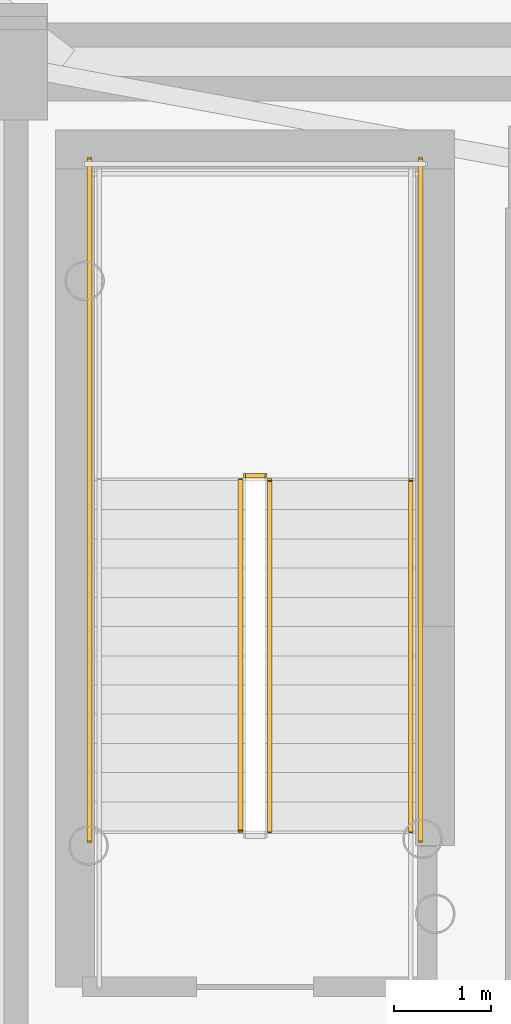
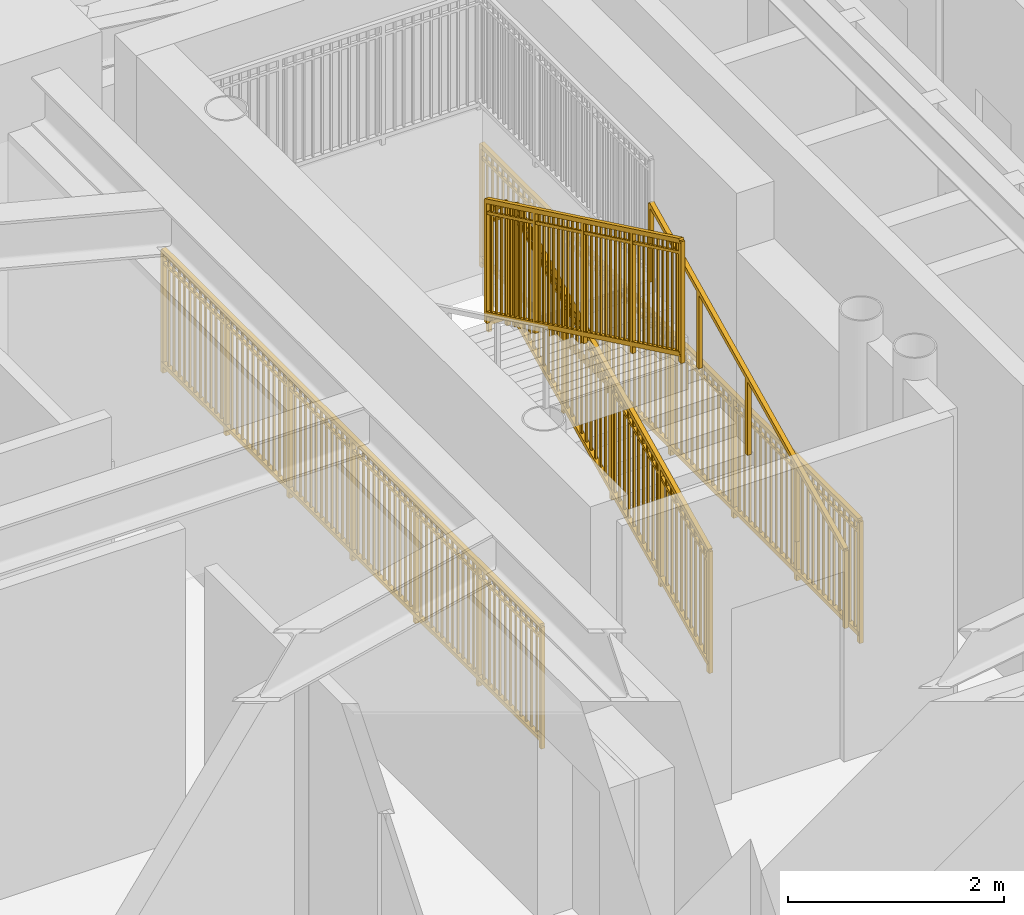
# One storey, part 15 of 19: 6 railings.
"""IFC4 building model written with IfcOpenShell, lengths in metres."""

from ifc_helpers import new_model, si_unit, direction, frame, origin, origin_2d, place, context, subcontext, project, spatial, rectangle, extrude, source, transform, mapped, material, type_object, element, save


model = new_model("IFC4")

# Units and contexts
model_context = context("Model", 3, precision=1e-05, world=origin(), true_north=direction((0.0, 1.0)))
body_context = subcontext(model_context, "Body", "Model", "MODEL_VIEW")
ifc_project = project(units=[si_unit("LENGTHUNIT", "METRE"), si_unit("AREAUNIT", "SQUARE_METRE"), si_unit("VOLUMEUNIT", "CUBIC_METRE"), si_unit("PLANEANGLEUNIT", "RADIAN"), si_unit("MASSUNIT", "GRAM", prefix="KILO")], contexts=[model_context])

# Site, building, storey
site_placement = place(None, origin())
site = spatial("IfcSite", under=ifc_project, at=site_placement, CompositionType="ELEMENT")
building_placement = place(site_placement, origin())
building = spatial("IfcBuilding", under=site, at=building_placement, Name="Linh Dai School and Residence Tower", CompositionType="ELEMENT")
storey_placement = place(building_placement, frame((0.0, 0.0, 193.64990234375)))
storey = spatial("IfcBuildingStorey", under=building, at=storey_placement, Name="L47", CompositionType="ELEMENT", Elevation=193.64990234375)

# Railings
ifc_material_1 = material(Name="Structural Steel S355JR", Category="steel")
railing_type_1 = type_object("IfcRailingType", Name="RL-ST-GUARD-1400", PredefinedType="GUARDRAIL", material=ifc_material_1)
shared_shape_1 = source(origin(), body_context, "Body", "SweptSolid", [
    extrude(rectangle(XDim=0.048095703125, YDim=0.048095703125, at=origin_2d()), frame((0.0, 0.0, 1.3759765625), z_axis=(-1.0, 0.0, 0.0), x_axis=(0.0, -1.0, 0.0)), (0.0, 0.0, 1.0), 0.199951171875),
    extrude(rectangle(XDim=0.048095703125, YDim=0.048095703125, at=origin_2d()), frame((0.0, 0.0, 0.10009765625), z_axis=(-1.0, 0.0, 0.0), x_axis=(0.0, -1.0, 0.0)), (0.0, 0.0, 1.0), 0.199951171875),
    extrude(rectangle(XDim=0.030029296875, YDim=0.030029296875, at=origin_2d()), frame((0.0, 0.0, 1.239990234375), z_axis=(-1.0, 0.0, 0.0), x_axis=(0.0, -1.0, 0.0)), (0.0, 0.0, 1.0), 0.199951171875),
    extrude(rectangle(XDim=0.0419921875, YDim=0.0419921875, at=origin_2d()), origin(), (0.0, 0.0, 1.0), 1.3759765625),
    extrude(rectangle(XDim=0.0419921875, YDim=0.0419921875, at=origin_2d()), frame((-0.199951171875, 0.0, 0.0)), (0.0, 0.0, 1.0), 1.3759765625),
])
railing_1_placement = place(storey_placement, frame((29.429931640625, 29.35009765625, 1.875)))
element("IfcRailing", 1, at=railing_1_placement, inside=storey, type_object=railing_type_1, Name="L47 ST1 stair guard 2", PredefinedType="GUARDRAIL", context=body_context, shape_type="MappedRepresentation", body=[
    mapped(shared_shape_1, transform((0.0, 0.0, 0.0), x_axis=(1.0, 0.0, 0.0), y_axis=(0.0, 1.0, 0.0), z_axis=(0.0, 0.0, 1.0), scale=1.0)),
])
shared_shape_2 = source(origin(), body_context, "Body", "SweptSolid", [
    extrude(rectangle(XDim=0.048095703125, YDim=0.048095703125, at=origin_2d()), frame((0.0, 0.0, 1.3759765625), z_axis=(0.0, 1.0, 0.0), x_axis=(-1.0, 0.0, 0.0)), (0.0, 0.0, 1.0), 7.0),
    extrude(rectangle(XDim=0.048095703125, YDim=0.048095703125, at=origin_2d()), frame((0.0, 0.0, 0.10009765625), z_axis=(0.0, 1.0, 0.0), x_axis=(-1.0, 0.0, 0.0)), (0.0, 0.0, 1.0), 7.0),
    extrude(rectangle(XDim=0.030029296875, YDim=0.030029296875, at=origin_2d()), frame((0.0, 0.0, 1.239990234375), z_axis=(0.0, 1.0, 0.0), x_axis=(-1.0, 0.0, 0.0)), (0.0, 0.0, 1.0), 7.0),
    extrude(rectangle(XDim=0.02001953125, YDim=0.02001953125, at=origin_2d()), frame((0.0, 0.09716796875, 0.10009765625)), (0.0, 0.0, 1.0), 1.251708984375),
    extrude(rectangle(XDim=0.02001953125, YDim=0.02001953125, at=origin_2d()), frame((0.0, 0.1943359375, 0.10009765625)), (0.0, 0.0, 1.0), 1.251708984375),
    extrude(rectangle(XDim=0.02001953125, YDim=0.02001953125, at=origin_2d()), frame((0.0, 0.291748046875, 0.10009765625)), (0.0, 0.0, 1.0), 1.251708984375),
    extrude(rectangle(XDim=0.02001953125, YDim=0.02001953125, at=origin_2d()), frame((0.0, 0.388916015625, 0.10009765625)), (0.0, 0.0, 1.0), 1.251708984375),
    extrude(rectangle(XDim=0.02001953125, YDim=0.02001953125, at=origin_2d()), frame((0.0, 0.486083984375, 0.10009765625)), (0.0, 0.0, 1.0), 1.251708984375),
    extrude(rectangle(XDim=0.02001953125, YDim=0.02001953125, at=origin_2d()), frame((0.0, 0.583251953125, 0.10009765625)), (0.0, 0.0, 1.0), 1.251708984375),
    extrude(rectangle(XDim=0.02001953125, YDim=0.02001953125, at=origin_2d()), frame((0.0, 0.6806640625, 0.10009765625)), (0.0, 0.0, 1.0), 1.251708984375),
    extrude(rectangle(XDim=0.02001953125, YDim=0.02001953125, at=origin_2d()), frame((0.0, 0.77783203125, 0.10009765625)), (0.0, 0.0, 1.0), 1.251708984375),
    extrude(rectangle(XDim=0.02001953125, YDim=0.02001953125, at=origin_2d()), frame((0.0, 0.875, 0.10009765625)), (0.0, 0.0, 1.0), 1.251708984375),
    extrude(rectangle(XDim=0.02001953125, YDim=0.02001953125, at=origin_2d()), frame((0.0, 0.97216796875, 0.10009765625)), (0.0, 0.0, 1.0), 1.251708984375),
    extrude(rectangle(XDim=0.02001953125, YDim=0.02001953125, at=origin_2d()), frame((0.0, 1.0693359375, 0.10009765625)), (0.0, 0.0, 1.0), 1.251708984375),
    extrude(rectangle(XDim=0.02001953125, YDim=0.02001953125, at=origin_2d()), frame((0.0, 1.263916015625, 0.10009765625)), (0.0, 0.0, 1.0), 1.251708984375),
    extrude(rectangle(XDim=0.02001953125, YDim=0.02001953125, at=origin_2d()), frame((0.0, 1.361083984375, 0.10009765625)), (0.0, 0.0, 1.0), 1.251708984375),
    extrude(rectangle(XDim=0.02001953125, YDim=0.02001953125, at=origin_2d()), frame((0.0, 1.458251953125, 0.10009765625)), (0.0, 0.0, 1.0), 1.251708984375),
    extrude(rectangle(XDim=0.02001953125, YDim=0.02001953125, at=origin_2d()), frame((0.0, 1.5556640625, 0.10009765625)), (0.0, 0.0, 1.0), 1.251708984375),
    extrude(rectangle(XDim=0.02001953125, YDim=0.02001953125, at=origin_2d()), frame((0.0, 1.65283203125, 0.10009765625)), (0.0, 0.0, 1.0), 1.251708984375),
    extrude(rectangle(XDim=0.02001953125, YDim=0.02001953125, at=origin_2d()), frame((0.0, 1.75, 0.10009765625)), (0.0, 0.0, 1.0), 1.251708984375),
    extrude(rectangle(XDim=0.02001953125, YDim=0.02001953125, at=origin_2d()), frame((0.0, 1.84716796875, 0.10009765625)), (0.0, 0.0, 1.0), 1.251708984375),
    extrude(rectangle(XDim=0.02001953125, YDim=0.02001953125, at=origin_2d()), frame((0.0, 1.9443359375, 0.10009765625)), (0.0, 0.0, 1.0), 1.251708984375),
    extrude(rectangle(XDim=0.02001953125, YDim=0.02001953125, at=origin_2d()), frame((0.0, 2.041748046875, 0.10009765625)), (0.0, 0.0, 1.0), 1.251708984375),
    extrude(rectangle(XDim=0.02001953125, YDim=0.02001953125, at=origin_2d()), frame((0.0, 2.138916015625, 0.10009765625)), (0.0, 0.0, 1.0), 1.251708984375),
    extrude(rectangle(XDim=0.02001953125, YDim=0.02001953125, at=origin_2d()), frame((0.0, 2.236083984375, 0.10009765625)), (0.0, 0.0, 1.0), 1.251708984375),
    extrude(rectangle(XDim=0.02001953125, YDim=0.02001953125, at=origin_2d()), frame((0.0, 2.4306640625, 0.10009765625)), (0.0, 0.0, 1.0), 1.251708984375),
    extrude(rectangle(XDim=0.02001953125, YDim=0.02001953125, at=origin_2d()), frame((0.0, 2.52783203125, 0.10009765625)), (0.0, 0.0, 1.0), 1.251708984375),
    extrude(rectangle(XDim=0.02001953125, YDim=0.02001953125, at=origin_2d()), frame((0.0, 2.625, 0.10009765625)), (0.0, 0.0, 1.0), 1.251708984375),
    extrude(rectangle(XDim=0.02001953125, YDim=0.02001953125, at=origin_2d()), frame((0.0, 2.72216796875, 0.10009765625)), (0.0, 0.0, 1.0), 1.251708984375),
    extrude(rectangle(XDim=0.02001953125, YDim=0.02001953125, at=origin_2d()), frame((0.0, 2.8193359375, 0.10009765625)), (0.0, 0.0, 1.0), 1.251708984375),
    extrude(rectangle(XDim=0.02001953125, YDim=0.02001953125, at=origin_2d()), frame((0.0, 2.916748046875, 0.10009765625)), (0.0, 0.0, 1.0), 1.251708984375),
    extrude(rectangle(XDim=0.02001953125, YDim=0.02001953125, at=origin_2d()), frame((0.0, 3.013916015625, 0.10009765625)), (0.0, 0.0, 1.0), 1.251708984375),
    extrude(rectangle(XDim=0.02001953125, YDim=0.02001953125, at=origin_2d()), frame((0.0, 3.111083984375, 0.10009765625)), (0.0, 0.0, 1.0), 1.251708984375),
    extrude(rectangle(XDim=0.02001953125, YDim=0.02001953125, at=origin_2d()), frame((0.0, 3.208251953125, 0.10009765625)), (0.0, 0.0, 1.0), 1.251708984375),
    extrude(rectangle(XDim=0.02001953125, YDim=0.02001953125, at=origin_2d()), frame((0.0, 3.3056640625, 0.10009765625)), (0.0, 0.0, 1.0), 1.251708984375),
    extrude(rectangle(XDim=0.02001953125, YDim=0.02001953125, at=origin_2d()), frame((0.0, 3.40283203125, 0.10009765625)), (0.0, 0.0, 1.0), 1.251708984375),
    extrude(rectangle(XDim=0.02001953125, YDim=0.02001953125, at=origin_2d()), frame((0.0, 3.59716796875, 0.10009765625)), (0.0, 0.0, 1.0), 1.251708984375),
    extrude(rectangle(XDim=0.02001953125, YDim=0.02001953125, at=origin_2d()), frame((0.0, 3.6943359375, 0.10009765625)), (0.0, 0.0, 1.0), 1.251708984375),
    extrude(rectangle(XDim=0.02001953125, YDim=0.02001953125, at=origin_2d()), frame((0.0, 3.791748046875, 0.10009765625)), (0.0, 0.0, 1.0), 1.251708984375),
    extrude(rectangle(XDim=0.02001953125, YDim=0.02001953125, at=origin_2d()), frame((0.0, 3.888916015625, 0.10009765625)), (0.0, 0.0, 1.0), 1.251708984375),
    extrude(rectangle(XDim=0.02001953125, YDim=0.02001953125, at=origin_2d()), frame((0.0, 3.986083984375, 0.10009765625)), (0.0, 0.0, 1.0), 1.251708984375),
    extrude(rectangle(XDim=0.02001953125, YDim=0.02001953125, at=origin_2d()), frame((0.0, 4.083251953125, 0.10009765625)), (0.0, 0.0, 1.0), 1.251708984375),
    extrude(rectangle(XDim=0.02001953125, YDim=0.02001953125, at=origin_2d()), frame((0.0, 4.1806640625, 0.10009765625)), (0.0, 0.0, 1.0), 1.251708984375),
    extrude(rectangle(XDim=0.02001953125, YDim=0.02001953125, at=origin_2d()), frame((0.0, 4.27783203125, 0.10009765625)), (0.0, 0.0, 1.0), 1.251708984375),
    extrude(rectangle(XDim=0.02001953125, YDim=0.02001953125, at=origin_2d()), frame((0.0, 4.375, 0.10009765625)), (0.0, 0.0, 1.0), 1.251708984375),
    extrude(rectangle(XDim=0.02001953125, YDim=0.02001953125, at=origin_2d()), frame((0.0, 4.47216796875, 0.10009765625)), (0.0, 0.0, 1.0), 1.251708984375),
    extrude(rectangle(XDim=0.02001953125, YDim=0.02001953125, at=origin_2d()), frame((0.0, 4.5693359375, 0.10009765625)), (0.0, 0.0, 1.0), 1.251708984375),
    extrude(rectangle(XDim=0.02001953125, YDim=0.02001953125, at=origin_2d()), frame((0.0, 4.763916015625, 0.10009765625)), (0.0, 0.0, 1.0), 1.251708984375),
    extrude(rectangle(XDim=0.02001953125, YDim=0.02001953125, at=origin_2d()), frame((0.0, 4.861083984375, 0.10009765625)), (0.0, 0.0, 1.0), 1.251708984375),
    extrude(rectangle(XDim=0.02001953125, YDim=0.02001953125, at=origin_2d()), frame((0.0, 4.958251953125, 0.10009765625)), (0.0, 0.0, 1.0), 1.251708984375),
    extrude(rectangle(XDim=0.02001953125, YDim=0.02001953125, at=origin_2d()), frame((0.0, 5.0556640625, 0.10009765625)), (0.0, 0.0, 1.0), 1.251708984375),
    extrude(rectangle(XDim=0.02001953125, YDim=0.02001953125, at=origin_2d()), frame((0.0, 5.15283203125, 0.10009765625)), (0.0, 0.0, 1.0), 1.251708984375),
    extrude(rectangle(XDim=0.02001953125, YDim=0.02001953125, at=origin_2d()), frame((0.0, 5.25, 0.10009765625)), (0.0, 0.0, 1.0), 1.251708984375),
    extrude(rectangle(XDim=0.02001953125, YDim=0.02001953125, at=origin_2d()), frame((0.0, 5.34716796875, 0.10009765625)), (0.0, 0.0, 1.0), 1.251708984375),
    extrude(rectangle(XDim=0.02001953125, YDim=0.02001953125, at=origin_2d()), frame((0.0, 5.4443359375, 0.10009765625)), (0.0, 0.0, 1.0), 1.251708984375),
    extrude(rectangle(XDim=0.02001953125, YDim=0.02001953125, at=origin_2d()), frame((0.0, 5.541748046875, 0.10009765625)), (0.0, 0.0, 1.0), 1.251708984375),
    extrude(rectangle(XDim=0.02001953125, YDim=0.02001953125, at=origin_2d()), frame((0.0, 5.638916015625, 0.10009765625)), (0.0, 0.0, 1.0), 1.251708984375),
    extrude(rectangle(XDim=0.02001953125, YDim=0.02001953125, at=origin_2d()), frame((0.0, 5.736083984375, 0.10009765625)), (0.0, 0.0, 1.0), 1.251708984375),
    extrude(rectangle(XDim=0.02001953125, YDim=0.02001953125, at=origin_2d()), frame((0.0, 5.9306640625, 0.10009765625)), (0.0, 0.0, 1.0), 1.251708984375),
    extrude(rectangle(XDim=0.02001953125, YDim=0.02001953125, at=origin_2d()), frame((0.0, 6.02783203125, 0.10009765625)), (0.0, 0.0, 1.0), 1.251708984375),
    extrude(rectangle(XDim=0.02001953125, YDim=0.02001953125, at=origin_2d()), frame((0.0, 6.125, 0.10009765625)), (0.0, 0.0, 1.0), 1.251708984375),
    extrude(rectangle(XDim=0.02001953125, YDim=0.02001953125, at=origin_2d()), frame((0.0, 6.22216796875, 0.10009765625)), (0.0, 0.0, 1.0), 1.251708984375),
    extrude(rectangle(XDim=0.02001953125, YDim=0.02001953125, at=origin_2d()), frame((0.0, 6.3193359375, 0.10009765625)), (0.0, 0.0, 1.0), 1.251708984375),
    extrude(rectangle(XDim=0.02001953125, YDim=0.02001953125, at=origin_2d()), frame((0.0, 6.416748046875, 0.10009765625)), (0.0, 0.0, 1.0), 1.251708984375),
    extrude(rectangle(XDim=0.02001953125, YDim=0.02001953125, at=origin_2d()), frame((0.0, 6.513916015625, 0.10009765625)), (0.0, 0.0, 1.0), 1.251708984375),
    extrude(rectangle(XDim=0.02001953125, YDim=0.02001953125, at=origin_2d()), frame((0.0, 6.611083984375, 0.10009765625)), (0.0, 0.0, 1.0), 1.251708984375),
    extrude(rectangle(XDim=0.02001953125, YDim=0.02001953125, at=origin_2d()), frame((0.0, 6.708251953125, 0.10009765625)), (0.0, 0.0, 1.0), 1.251708984375),
    extrude(rectangle(XDim=0.02001953125, YDim=0.02001953125, at=origin_2d()), frame((0.0, 6.8056640625, 0.10009765625)), (0.0, 0.0, 1.0), 1.251708984375),
    extrude(rectangle(XDim=0.02001953125, YDim=0.02001953125, at=origin_2d()), frame((0.0, 6.90283203125, 0.10009765625)), (0.0, 0.0, 1.0), 1.251708984375),
    extrude(rectangle(XDim=0.0419921875, YDim=0.0419921875, at=origin_2d()), origin(), (0.0, 0.0, 1.0), 1.3759765625),
    extrude(rectangle(XDim=0.0419921875, YDim=0.0419921875, at=origin_2d()), frame((0.0, 1.166748046875, 0.0)), (0.0, 0.0, 1.0), 1.3759765625),
    extrude(rectangle(XDim=0.0419921875, YDim=0.0419921875, at=origin_2d()), frame((0.0, 2.333251953125, 0.0)), (0.0, 0.0, 1.0), 1.3759765625),
    extrude(rectangle(XDim=0.0419921875, YDim=0.0419921875, at=origin_2d()), frame((0.0, 3.5, 0.0)), (0.0, 0.0, 1.0), 1.3759765625),
    extrude(rectangle(XDim=0.0419921875, YDim=0.0419921875, at=origin_2d()), frame((0.0, 4.666748046875, 0.0)), (0.0, 0.0, 1.0), 1.3759765625),
    extrude(rectangle(XDim=0.0419921875, YDim=0.0419921875, at=origin_2d()), frame((0.0, 5.833251953125, 0.0)), (0.0, 0.0, 1.0), 1.3759765625),
    extrude(rectangle(XDim=0.0419921875, YDim=0.0419921875, at=origin_2d()), frame((0.0, 7.0, 0.0)), (0.0, 0.0, 1.0), 1.3759765625),
])
for number, where, name in (
    (2, (31.030029296875, 25.60009765625, 0.0), "L47 ST1 stair guard 10"),
    (3, (27.6298828125, 25.60009765625, 0.0), "L47 ST1 stair guard 11"),
):
    element("IfcRailing", number, at=place(storey_placement, frame(where)), inside=storey, type_object=railing_type_1, Name=name, PredefinedType="GUARDRAIL", context=body_context, shape_type="MappedRepresentation", body=[
        mapped(shared_shape_2, transform((0.0, 0.0, 0.0), x_axis=(1.0, 0.0, 0.0), y_axis=(0.0, 1.0, 0.0), z_axis=(0.0, 0.0, 1.0), scale=1.0)),
    ])
shared_shape_3 = source(origin(), body_context, "Body", "SweptSolid", [
    extrude(rectangle(XDim=0.048095703125, YDim=0.048095703125, at=origin_2d()), frame((0.0, 0.0, 1.3759765625), z_axis=(0.0, 0.901262522062, 0.433273431364), x_axis=(-1.0, 0.0, 0.0)), (0.0, 0.0, 1.0), 3.994384765625),
    extrude(rectangle(XDim=0.048095703125, YDim=0.048095703125, at=origin_2d()), frame((0.0, 0.0, 0.10009765625), z_axis=(0.0, 0.901262522062, 0.433273431364), x_axis=(-1.0, 0.0, 0.0)), (0.0, 0.0, 1.0), 3.994384765625),
    extrude(rectangle(XDim=0.030029296875, YDim=0.030029296875, at=origin_2d()), frame((0.0, 0.0, 1.239990234375), z_axis=(0.0, 0.901262522062, 0.433273431364), x_axis=(-1.0, 0.0, 0.0)), (0.0, 0.0, 1.0), 3.994384765625),
    extrude(rectangle(XDim=0.02001953125, YDim=0.02001953125, at=origin_2d()), frame((0.0, 0.087890625, 0.142333984375)), (0.0, 0.0, 1.0), 1.251708984375),
    extrude(rectangle(XDim=0.02001953125, YDim=0.02001953125, at=origin_2d()), frame((0.0, 0.175537109375, 0.1845703125)), (0.0, 0.0, 1.0), 1.251708984375),
    extrude(rectangle(XDim=0.02001953125, YDim=0.02001953125, at=origin_2d()), frame((0.0, 0.263427734375, 0.226806640625)), (0.0, 0.0, 1.0), 1.251708984375),
    extrude(rectangle(XDim=0.02001953125, YDim=0.02001953125, at=origin_2d()), frame((0.0, 0.351318359375, 0.26904296875)), (0.0, 0.0, 1.0), 1.251708984375),
    extrude(rectangle(XDim=0.02001953125, YDim=0.02001953125, at=origin_2d()), frame((0.0, 0.43896484375, 0.311279296875)), (0.0, 0.0, 1.0), 1.251708984375),
    extrude(rectangle(XDim=0.02001953125, YDim=0.02001953125, at=origin_2d()), frame((0.0, 0.52685546875, 0.353271484375)), (0.0, 0.0, 1.0), 1.251708984375),
    extrude(rectangle(XDim=0.02001953125, YDim=0.02001953125, at=origin_2d()), frame((0.0, 0.61474609375, 0.3955078125)), (0.0, 0.0, 1.0), 1.251708984375),
    extrude(rectangle(XDim=0.02001953125, YDim=0.02001953125, at=origin_2d()), frame((0.0, 0.702392578125, 0.437744140625)), (0.0, 0.0, 1.0), 1.251708984375),
    extrude(rectangle(XDim=0.02001953125, YDim=0.02001953125, at=origin_2d()), frame((0.0, 0.790283203125, 0.47998046875)), (0.0, 0.0, 1.0), 1.251708984375),
    extrude(rectangle(XDim=0.02001953125, YDim=0.02001953125, at=origin_2d()), frame((0.0, 0.9658203125, 0.564453125)), (0.0, 0.0, 1.0), 1.251708984375),
    extrude(rectangle(XDim=0.02001953125, YDim=0.02001953125, at=origin_2d()), frame((0.0, 1.0537109375, 0.606689453125)), (0.0, 0.0, 1.0), 1.251708984375),
    extrude(rectangle(XDim=0.02001953125, YDim=0.02001953125, at=origin_2d()), frame((0.0, 1.1416015625, 0.64892578125)), (0.0, 0.0, 1.0), 1.251708984375),
    extrude(rectangle(XDim=0.02001953125, YDim=0.02001953125, at=origin_2d()), frame((0.0, 1.229248046875, 0.691162109375)), (0.0, 0.0, 1.0), 1.251708984375),
    extrude(rectangle(XDim=0.02001953125, YDim=0.02001953125, at=origin_2d()), frame((0.0, 1.317138671875, 0.7333984375)), (0.0, 0.0, 1.0), 1.251708984375),
    extrude(rectangle(XDim=0.02001953125, YDim=0.02001953125, at=origin_2d()), frame((0.0, 1.405029296875, 0.775390625)), (0.0, 0.0, 1.0), 1.251708984375),
    extrude(rectangle(XDim=0.02001953125, YDim=0.02001953125, at=origin_2d()), frame((0.0, 1.49267578125, 0.817626953125)), (0.0, 0.0, 1.0), 1.251708984375),
    extrude(rectangle(XDim=0.02001953125, YDim=0.02001953125, at=origin_2d()), frame((0.0, 1.58056640625, 0.85986328125)), (0.0, 0.0, 1.0), 1.251708984375),
    extrude(rectangle(XDim=0.02001953125, YDim=0.02001953125, at=origin_2d()), frame((0.0, 1.66845703125, 0.902099609375)), (0.0, 0.0, 1.0), 1.251708984375),
    extrude(rectangle(XDim=0.02001953125, YDim=0.02001953125, at=origin_2d()), frame((0.0, 1.756103515625, 0.9443359375)), (0.0, 0.0, 1.0), 1.251708984375),
    extrude(rectangle(XDim=0.02001953125, YDim=0.02001953125, at=origin_2d()), frame((0.0, 1.843994140625, 0.986572265625)), (0.0, 0.0, 1.0), 1.251708984375),
    extrude(rectangle(XDim=0.02001953125, YDim=0.02001953125, at=origin_2d()), frame((0.0, 1.931640625, 1.02880859375)), (0.0, 0.0, 1.0), 1.251708984375),
    extrude(rectangle(XDim=0.02001953125, YDim=0.02001953125, at=origin_2d()), frame((0.0, 2.01953125, 1.071044921875)), (0.0, 0.0, 1.0), 1.251708984375),
    extrude(rectangle(XDim=0.02001953125, YDim=0.02001953125, at=origin_2d()), frame((0.0, 2.107421875, 1.11328125)), (0.0, 0.0, 1.0), 1.251708984375),
    extrude(rectangle(XDim=0.02001953125, YDim=0.02001953125, at=origin_2d()), frame((0.0, 2.195068359375, 1.155517578125)), (0.0, 0.0, 1.0), 1.251708984375),
    extrude(rectangle(XDim=0.02001953125, YDim=0.02001953125, at=origin_2d()), frame((0.0, 2.282958984375, 1.197509765625)), (0.0, 0.0, 1.0), 1.251708984375),
    extrude(rectangle(XDim=0.02001953125, YDim=0.02001953125, at=origin_2d()), frame((0.0, 2.370849609375, 1.23974609375)), (0.0, 0.0, 1.0), 1.251708984375),
    extrude(rectangle(XDim=0.02001953125, YDim=0.02001953125, at=origin_2d()), frame((0.0, 2.45849609375, 1.281982421875)), (0.0, 0.0, 1.0), 1.251708984375),
    extrude(rectangle(XDim=0.02001953125, YDim=0.02001953125, at=origin_2d()), frame((0.0, 2.54638671875, 1.32421875)), (0.0, 0.0, 1.0), 1.251708984375),
    extrude(rectangle(XDim=0.02001953125, YDim=0.02001953125, at=origin_2d()), frame((0.0, 2.63427734375, 1.366455078125)), (0.0, 0.0, 1.0), 1.251708984375),
    extrude(rectangle(XDim=0.02001953125, YDim=0.02001953125, at=origin_2d()), frame((0.0, 2.809814453125, 1.450927734375)), (0.0, 0.0, 1.0), 1.251708984375),
    extrude(rectangle(XDim=0.02001953125, YDim=0.02001953125, at=origin_2d()), frame((0.0, 2.897705078125, 1.4931640625)), (0.0, 0.0, 1.0), 1.251708984375),
    extrude(rectangle(XDim=0.02001953125, YDim=0.02001953125, at=origin_2d()), frame((0.0, 2.9853515625, 1.535400390625)), (0.0, 0.0, 1.0), 1.251708984375),
    extrude(rectangle(XDim=0.02001953125, YDim=0.02001953125, at=origin_2d()), frame((0.0, 3.0732421875, 1.57763671875)), (0.0, 0.0, 1.0), 1.251708984375),
    extrude(rectangle(XDim=0.02001953125, YDim=0.02001953125, at=origin_2d()), frame((0.0, 3.1611328125, 1.61962890625)), (0.0, 0.0, 1.0), 1.251708984375),
    extrude(rectangle(XDim=0.02001953125, YDim=0.02001953125, at=origin_2d()), frame((0.0, 3.248779296875, 1.661865234375)), (0.0, 0.0, 1.0), 1.251708984375),
    extrude(rectangle(XDim=0.02001953125, YDim=0.02001953125, at=origin_2d()), frame((0.0, 3.336669921875, 1.7041015625)), (0.0, 0.0, 1.0), 1.251708984375),
    extrude(rectangle(XDim=0.02001953125, YDim=0.02001953125, at=origin_2d()), frame((0.0, 3.424560546875, 1.746337890625)), (0.0, 0.0, 1.0), 1.251708984375),
    extrude(rectangle(XDim=0.02001953125, YDim=0.02001953125, at=origin_2d()), frame((0.0, 3.51220703125, 1.78857421875)), (0.0, 0.0, 1.0), 1.251708984375),
    extrude(rectangle(XDim=0.0419921875, YDim=0.0419921875, at=origin_2d()), origin(), (0.0, 0.0, 1.0), 1.3759765625),
    extrude(rectangle(XDim=0.0419921875, YDim=0.0419921875, at=origin_2d()), frame((0.0, 0.89990234375, 0.4326171875)), (0.0, 0.0, 1.0), 1.3759765625),
    extrude(rectangle(XDim=0.0419921875, YDim=0.0419921875, at=origin_2d()), frame((0.0, 1.800048828125, 0.865234375)), (0.0, 0.0, 1.0), 1.3759765625),
    extrude(rectangle(XDim=0.0419921875, YDim=0.0419921875, at=origin_2d()), frame((0.0, 2.7001953125, 1.298095703125)), (0.0, 0.0, 1.0), 1.3759765625),
    extrude(rectangle(XDim=0.0419921875, YDim=0.0419921875, at=origin_2d()), frame((0.0, 3.60009765625, 1.730712890625)), (0.0, 0.0, 1.0), 1.3759765625),
])
railing_2_placement = place(storey_placement, frame((29.47998046875, 25.699951171875, 0.144287109375)))
element("IfcRailing", 4, at=railing_2_placement, inside=storey, type_object=railing_type_1, Name="L47 ST1 stair guard 1", PredefinedType="GUARDRAIL", context=body_context, shape_type="MappedRepresentation", body=[
    mapped(shared_shape_3, transform((0.0, 0.0, 0.0), x_axis=(1.0, 0.0, 0.0), y_axis=(0.0, 1.0, 0.0), z_axis=(0.0, 0.0, 1.0), scale=1.0)),
])
shared_shape_4 = source(origin(), body_context, "Body", "SweptSolid", [
    extrude(rectangle(XDim=0.048095703125, YDim=0.048095703125, at=origin_2d()), frame((0.0, 0.0, 1.3759765625), z_axis=(0.0, -0.901262522062, 0.433273431364), x_axis=(1.0, 0.0, 0.0)), (0.0, 0.0, 1.0), 3.994384765625),
    extrude(rectangle(XDim=0.048095703125, YDim=0.048095703125, at=origin_2d()), frame((0.0, 0.0, 0.10009765625), z_axis=(0.0, -0.901262522062, 0.433273431364), x_axis=(1.0, 0.0, 0.0)), (0.0, 0.0, 1.0), 3.994384765625),
    extrude(rectangle(XDim=0.030029296875, YDim=0.030029296875, at=origin_2d()), frame((0.0, 0.0, 1.239990234375), z_axis=(0.0, -0.901262522062, 0.433273431364), x_axis=(1.0, 0.0, 0.0)), (0.0, 0.0, 1.0), 3.994384765625),
    extrude(rectangle(XDim=0.02001953125, YDim=0.02001953125, at=origin_2d()), frame((0.0, -0.087890625, 0.142333984375)), (0.0, 0.0, 1.0), 1.251708984375),
    extrude(rectangle(XDim=0.02001953125, YDim=0.02001953125, at=origin_2d()), frame((0.0, -0.175537109375, 0.1845703125)), (0.0, 0.0, 1.0), 1.251708984375),
    extrude(rectangle(XDim=0.02001953125, YDim=0.02001953125, at=origin_2d()), frame((0.0, -0.263427734375, 0.226806640625)), (0.0, 0.0, 1.0), 1.251708984375),
    extrude(rectangle(XDim=0.02001953125, YDim=0.02001953125, at=origin_2d()), frame((0.0, -0.351318359375, 0.26904296875)), (0.0, 0.0, 1.0), 1.251708984375),
    extrude(rectangle(XDim=0.02001953125, YDim=0.02001953125, at=origin_2d()), frame((0.0, -0.43896484375, 0.311279296875)), (0.0, 0.0, 1.0), 1.251708984375),
    extrude(rectangle(XDim=0.02001953125, YDim=0.02001953125, at=origin_2d()), frame((0.0, -0.52685546875, 0.353271484375)), (0.0, 0.0, 1.0), 1.251708984375),
    extrude(rectangle(XDim=0.02001953125, YDim=0.02001953125, at=origin_2d()), frame((0.0, -0.61474609375, 0.3955078125)), (0.0, 0.0, 1.0), 1.251708984375),
    extrude(rectangle(XDim=0.02001953125, YDim=0.02001953125, at=origin_2d()), frame((0.0, -0.702392578125, 0.437744140625)), (0.0, 0.0, 1.0), 1.251708984375),
    extrude(rectangle(XDim=0.02001953125, YDim=0.02001953125, at=origin_2d()), frame((0.0, -0.790283203125, 0.47998046875)), (0.0, 0.0, 1.0), 1.251708984375),
    extrude(rectangle(XDim=0.02001953125, YDim=0.02001953125, at=origin_2d()), frame((0.0, -0.9658203125, 0.564453125)), (0.0, 0.0, 1.0), 1.251708984375),
    extrude(rectangle(XDim=0.02001953125, YDim=0.02001953125, at=origin_2d()), frame((0.0, -1.0537109375, 0.606689453125)), (0.0, 0.0, 1.0), 1.251708984375),
    extrude(rectangle(XDim=0.02001953125, YDim=0.02001953125, at=origin_2d()), frame((0.0, -1.1416015625, 0.64892578125)), (0.0, 0.0, 1.0), 1.251708984375),
    extrude(rectangle(XDim=0.02001953125, YDim=0.02001953125, at=origin_2d()), frame((0.0, -1.229248046875, 0.691162109375)), (0.0, 0.0, 1.0), 1.251708984375),
    extrude(rectangle(XDim=0.02001953125, YDim=0.02001953125, at=origin_2d()), frame((0.0, -1.317138671875, 0.7333984375)), (0.0, 0.0, 1.0), 1.251708984375),
    extrude(rectangle(XDim=0.02001953125, YDim=0.02001953125, at=origin_2d()), frame((0.0, -1.405029296875, 0.775390625)), (0.0, 0.0, 1.0), 1.251708984375),
    extrude(rectangle(XDim=0.02001953125, YDim=0.02001953125, at=origin_2d()), frame((0.0, -1.49267578125, 0.817626953125)), (0.0, 0.0, 1.0), 1.251708984375),
    extrude(rectangle(XDim=0.02001953125, YDim=0.02001953125, at=origin_2d()), frame((0.0, -1.58056640625, 0.85986328125)), (0.0, 0.0, 1.0), 1.251708984375),
    extrude(rectangle(XDim=0.02001953125, YDim=0.02001953125, at=origin_2d()), frame((0.0, -1.66845703125, 0.902099609375)), (0.0, 0.0, 1.0), 1.251708984375),
    extrude(rectangle(XDim=0.02001953125, YDim=0.02001953125, at=origin_2d()), frame((0.0, -1.756103515625, 0.9443359375)), (0.0, 0.0, 1.0), 1.251708984375),
    extrude(rectangle(XDim=0.02001953125, YDim=0.02001953125, at=origin_2d()), frame((0.0, -1.843994140625, 0.986572265625)), (0.0, 0.0, 1.0), 1.251708984375),
    extrude(rectangle(XDim=0.02001953125, YDim=0.02001953125, at=origin_2d()), frame((0.0, -1.931640625, 1.02880859375)), (0.0, 0.0, 1.0), 1.251708984375),
    extrude(rectangle(XDim=0.02001953125, YDim=0.02001953125, at=origin_2d()), frame((0.0, -2.01953125, 1.071044921875)), (0.0, 0.0, 1.0), 1.251708984375),
    extrude(rectangle(XDim=0.02001953125, YDim=0.02001953125, at=origin_2d()), frame((0.0, -2.107421875, 1.11328125)), (0.0, 0.0, 1.0), 1.251708984375),
    extrude(rectangle(XDim=0.02001953125, YDim=0.02001953125, at=origin_2d()), frame((0.0, -2.195068359375, 1.155517578125)), (0.0, 0.0, 1.0), 1.251708984375),
    extrude(rectangle(XDim=0.02001953125, YDim=0.02001953125, at=origin_2d()), frame((0.0, -2.282958984375, 1.197509765625)), (0.0, 0.0, 1.0), 1.251708984375),
    extrude(rectangle(XDim=0.02001953125, YDim=0.02001953125, at=origin_2d()), frame((0.0, -2.370849609375, 1.23974609375)), (0.0, 0.0, 1.0), 1.251708984375),
    extrude(rectangle(XDim=0.02001953125, YDim=0.02001953125, at=origin_2d()), frame((0.0, -2.45849609375, 1.281982421875)), (0.0, 0.0, 1.0), 1.251708984375),
    extrude(rectangle(XDim=0.02001953125, YDim=0.02001953125, at=origin_2d()), frame((0.0, -2.54638671875, 1.32421875)), (0.0, 0.0, 1.0), 1.251708984375),
    extrude(rectangle(XDim=0.02001953125, YDim=0.02001953125, at=origin_2d()), frame((0.0, -2.63427734375, 1.366455078125)), (0.0, 0.0, 1.0), 1.251708984375),
    extrude(rectangle(XDim=0.02001953125, YDim=0.02001953125, at=origin_2d()), frame((0.0, -2.809814453125, 1.450927734375)), (0.0, 0.0, 1.0), 1.251708984375),
    extrude(rectangle(XDim=0.02001953125, YDim=0.02001953125, at=origin_2d()), frame((0.0, -2.897705078125, 1.4931640625)), (0.0, 0.0, 1.0), 1.251708984375),
    extrude(rectangle(XDim=0.02001953125, YDim=0.02001953125, at=origin_2d()), frame((0.0, -2.9853515625, 1.535400390625)), (0.0, 0.0, 1.0), 1.251708984375),
    extrude(rectangle(XDim=0.02001953125, YDim=0.02001953125, at=origin_2d()), frame((0.0, -3.0732421875, 1.57763671875)), (0.0, 0.0, 1.0), 1.251708984375),
    extrude(rectangle(XDim=0.02001953125, YDim=0.02001953125, at=origin_2d()), frame((0.0, -3.1611328125, 1.61962890625)), (0.0, 0.0, 1.0), 1.251708984375),
    extrude(rectangle(XDim=0.02001953125, YDim=0.02001953125, at=origin_2d()), frame((0.0, -3.248779296875, 1.661865234375)), (0.0, 0.0, 1.0), 1.251708984375),
    extrude(rectangle(XDim=0.02001953125, YDim=0.02001953125, at=origin_2d()), frame((0.0, -3.336669921875, 1.7041015625)), (0.0, 0.0, 1.0), 1.251708984375),
    extrude(rectangle(XDim=0.02001953125, YDim=0.02001953125, at=origin_2d()), frame((0.0, -3.424560546875, 1.746337890625)), (0.0, 0.0, 1.0), 1.251708984375),
    extrude(rectangle(XDim=0.02001953125, YDim=0.02001953125, at=origin_2d()), frame((0.0, -3.51220703125, 1.78857421875)), (0.0, 0.0, 1.0), 1.251708984375),
    extrude(rectangle(XDim=0.0419921875, YDim=0.0419921875, at=origin_2d()), origin(), (0.0, 0.0, 1.0), 1.3759765625),
    extrude(rectangle(XDim=0.0419921875, YDim=0.0419921875, at=origin_2d()), frame((0.0, -0.89990234375, 0.4326171875)), (0.0, 0.0, 1.0), 1.3759765625),
    extrude(rectangle(XDim=0.0419921875, YDim=0.0419921875, at=origin_2d()), frame((0.0, -1.800048828125, 0.865234375)), (0.0, 0.0, 1.0), 1.3759765625),
    extrude(rectangle(XDim=0.0419921875, YDim=0.0419921875, at=origin_2d()), frame((0.0, -2.7001953125, 1.298095703125)), (0.0, 0.0, 1.0), 1.3759765625),
    extrude(rectangle(XDim=0.0419921875, YDim=0.0419921875, at=origin_2d()), frame((0.0, -3.60009765625, 1.730712890625)), (0.0, 0.0, 1.0), 1.3759765625),
])
railing_3_placement = place(storey_placement, frame((29.179931640625, 29.300048828125, 2.019287109375)))
element("IfcRailing", 5, at=railing_3_placement, inside=storey, type_object=railing_type_1, Name="L47 ST1 stair guard 6", PredefinedType="GUARDRAIL", context=body_context, shape_type="MappedRepresentation", body=[
    mapped(shared_shape_4, transform((0.0, 0.0, 0.0), x_axis=(1.0, 0.0, 0.0), y_axis=(0.0, 1.0, 0.0), z_axis=(0.0, 0.0, 1.0), scale=1.0)),
])
ifc_material_2 = material(Name="Brushed Stainless Steel Handrail", Category="steel")
railing_type_2 = type_object("IfcRailingType", Name="RL-ST-HANDRAIL-900", PredefinedType="HANDRAIL", material=ifc_material_2)
shared_shape_5 = source(origin(), body_context, "Body", "SweptSolid", [
    extrude(rectangle(XDim=0.048095703125, YDim=0.048095703125, at=origin_2d()), frame((0.0, 0.0, 0.8759765625), z_axis=(0.0, 0.901262522062, 0.433273431364), x_axis=(-1.0, 0.0, 0.0)), (0.0, 0.0, 1.0), 3.994384765625),
    extrude(rectangle(XDim=0.0419921875, YDim=0.0419921875, at=origin_2d()), origin(), (0.0, 0.0, 1.0), 0.8759765625),
    extrude(rectangle(XDim=0.0419921875, YDim=0.0419921875, at=origin_2d()), frame((0.0, 0.89990234375, 0.4326171875)), (0.0, 0.0, 1.0), 0.8759765625),
    extrude(rectangle(XDim=0.0419921875, YDim=0.0419921875, at=origin_2d()), frame((0.0, 1.800048828125, 0.865234375)), (0.0, 0.0, 1.0), 0.8759765625),
    extrude(rectangle(XDim=0.0419921875, YDim=0.0419921875, at=origin_2d()), frame((0.0, 2.7001953125, 1.298095703125)), (0.0, 0.0, 1.0), 0.8759765625),
    extrude(rectangle(XDim=0.0419921875, YDim=0.0419921875, at=origin_2d()), frame((0.0, 3.60009765625, 1.730712890625)), (0.0, 0.0, 1.0), 0.8759765625),
])
railing_4_placement = place(storey_placement, frame((30.929931640625, 25.699951171875, 0.144287109375)))
element("IfcRailing", 6, at=railing_4_placement, inside=storey, type_object=railing_type_2, Name="L47 ST1 stair handrail 1", PredefinedType="HANDRAIL", context=body_context, shape_type="MappedRepresentation", body=[
    mapped(shared_shape_5, transform((0.0, 0.0, 0.0), x_axis=(1.0, 0.0, 0.0), y_axis=(0.0, 1.0, 0.0), z_axis=(0.0, 0.0, 1.0), scale=1.0)),
])

save(model, "model.ifc")
